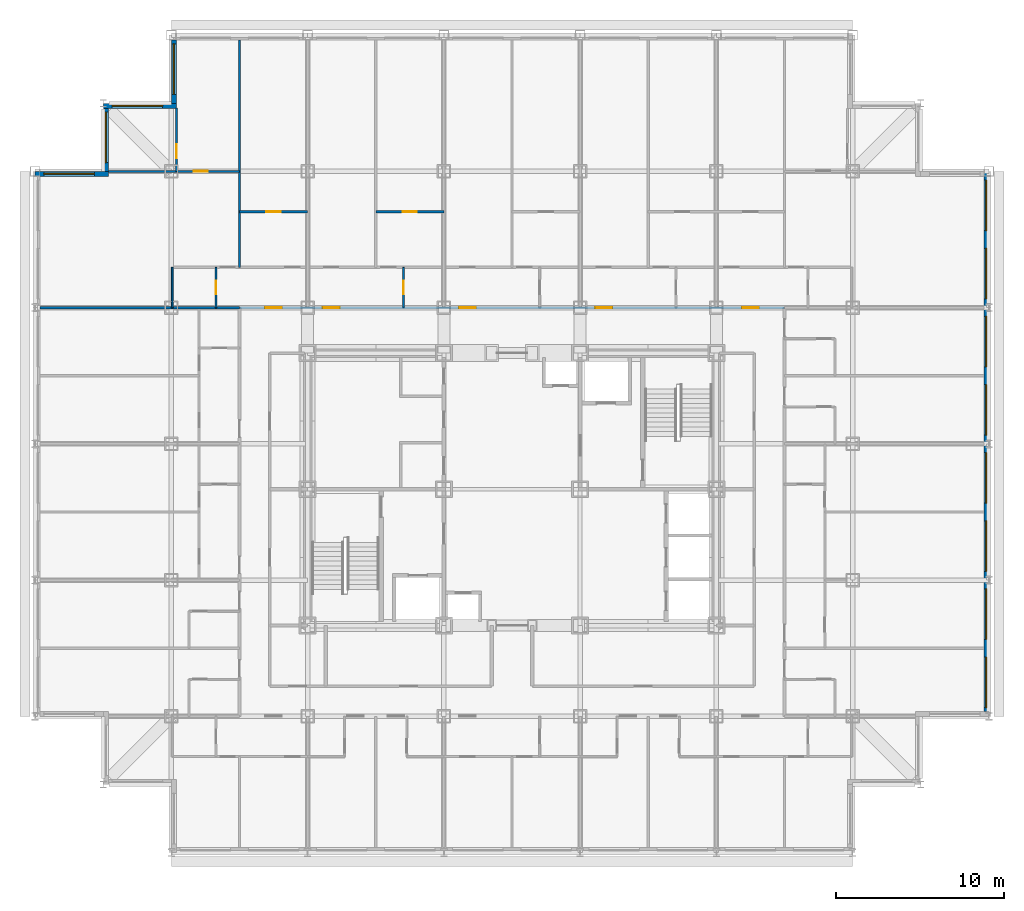
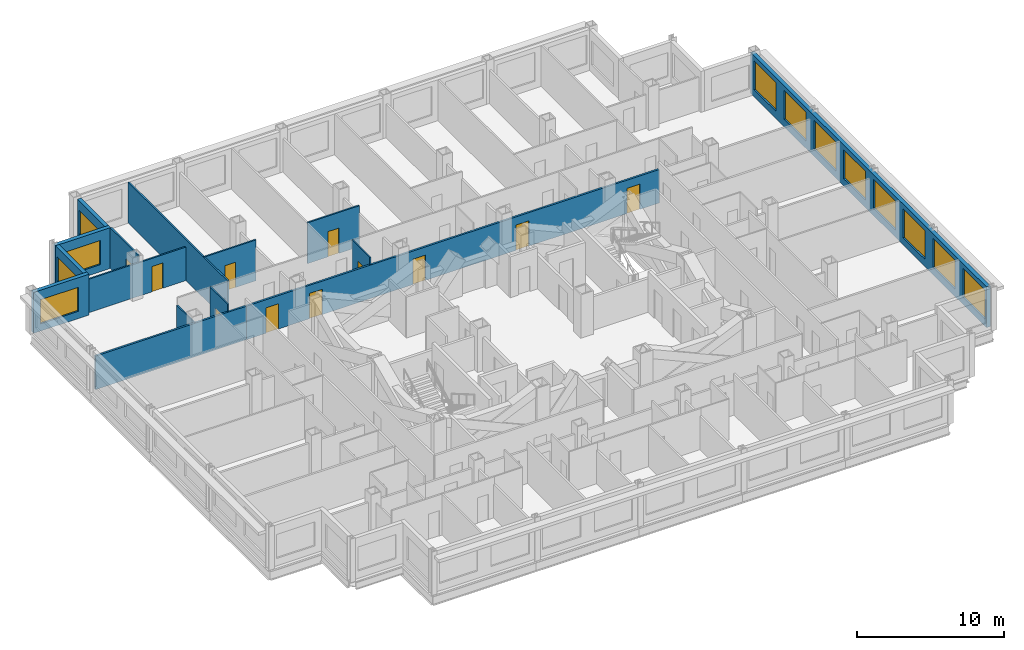
# One storey, part 9 of 12: 15 walls, 12 windows, 11 doors, 23 openings.
"""IFC4 building model written with IfcOpenShell, lengths in metres."""

from ifc_helpers import new_model, si_unit, direction, frame, frame_2d, origin, place, context, subcontext, project, spatial, rectangle, extrude, material, layer, layer_set, type_object, element, fill, save


model = new_model("IFC4")

# Units and contexts
model_context = context("Model", 3, precision=1e-05, world=origin(), true_north=direction((0.0, 1.0)))
body_context = subcontext(model_context, "Body", "Model", "MODEL_VIEW")
ifc_project = project(units=[si_unit("LENGTHUNIT", "METRE"), si_unit("AREAUNIT", "SQUARE_METRE"), si_unit("VOLUMEUNIT", "CUBIC_METRE"), si_unit("PLANEANGLEUNIT", "RADIAN"), si_unit("MASSUNIT", "GRAM", prefix="KILO")], contexts=[model_context])

# Site, building, storey
site_placement = place(None, origin())
site = spatial("IfcSite", under=ifc_project, at=site_placement, CompositionType="ELEMENT")
building_placement = place(site_placement, origin())
building = spatial("IfcBuilding", under=site, at=building_placement, Name="Kopane Lantern Tower", CompositionType="ELEMENT")
storey_placement = place(building_placement, frame((0.0, 0.0, 170.39990234375)))
storey = spatial("IfcBuildingStorey", under=building, at=storey_placement, Name="L43", CompositionType="ELEMENT", Elevation=170.39990234375)

# Wall
ifc_material_1 = material(Name="Gypsum board on steel studs", Category="steel")
ifc_layer_1 = layer(ifc_material_1, 0.1201171875)
ifc_layer_set_1 = layer_set([ifc_layer_1], Name="APARTMENT INTERNAL WALL 120")
wall_type_1 = type_object("IfcWallType", Name="APARTMENT INTERNAL WALL 120", PredefinedType="PARTITIONING", material=ifc_layer_set_1)
wall_1_placement = place(storey_placement, frame((12.14990234375, 45.60009765625, 0.0), z_axis=(0.0, 0.0, 1.0), x_axis=(0.0, 1.0, 0.0)))
element("IfcWall", 1, at=wall_1_placement, inside=storey, type_object=wall_type_1, Name="Apartment Internal Wall 120 L43", PredefinedType="PARTITIONING", context=body_context, shape_type="SweptSolid", body=[
    extrude(rectangle(XDim=13.5, YDim=0.1201171875, at=frame_2d((6.75, 0.0))), origin(), (0.0, 0.0, 1.0), 3.39013671875),
])

# Wall, opening, door
wall_2_placement = place(storey_placement, frame((12.14990234375, 51.300048828125, 0.0), z_axis=(0.0, 0.0, 1.0), x_axis=(-1.0, 0.0, 0.0)))
wall_2 = element("IfcWall", 2, at=wall_2_placement, inside=storey, type_object=wall_type_1, Name="Apartment Internal Wall 120 L43", PredefinedType="PARTITIONING", context=body_context, shape_type="SweptSolid", body=[
    extrude(rectangle(XDim=7.7998046875, YDim=0.1201171875, at=frame_2d((3.89990234375, 0.0))), origin(), (0.0, 0.0, 1.0), 2.77783203125),
])
opening_1_placement = place(wall_2_placement, frame((1.875, 0.0, 0.0)))
opening_1 = element("IfcOpeningElement", 3, at=opening_1_placement, cuts=wall_2, Name="Opening L43-071", PredefinedType="OPENING", context=body_context, shape_type="SweptSolid", body=[
    extrude(rectangle(XDim=0.85009765625, YDim=2.10009765625, at=frame_2d((0.425048828125, 1.050048828125))), frame((0.0, 0.070068359375, 0.0), z_axis=(0.0, -1.0, 0.0), x_axis=(1.0, 0.0, 0.0)), (0.0, 0.0, 1.0), 0.14013671875),
])
ifc_material_2 = material(Name="Timber door set", Category="wood")
door_type_1 = type_object("IfcDoorType", Name="DOOR D4 850x2100", OperationType="SINGLE_SWING_LEFT", PredefinedType="DOOR", material=ifc_material_2)
door_1_placement = place(opening_1_placement, origin())
door_1 = element("IfcDoor", 4, at=door_1_placement, inside=storey, type_object=door_type_1, Name="Door L43-071", OperationType="SINGLE_SWING_LEFT", OverallHeight=2.10009765625, OverallWidth=0.85009765625, PredefinedType="DOOR", context=body_context, shape_type="SweptSolid", body=[
    extrude(rectangle(XDim=0.85009765625, YDim=2.10009765625, at=frame_2d((0.425048828125, 1.050048828125))), frame((0.0, 0.02490234375, 0.0), z_axis=(0.0, -1.0, 0.0), x_axis=(1.0, 0.0, 0.0)), (0.0, 0.0, 1.0), 0.050048828125),
])
fill(opening_1, door_1)

wall_3_placement = place(storey_placement, frame((8.39990234375, 55.06005859375, 0.0), z_axis=(0.0, 0.0, 1.0), x_axis=(0.0, -1.0, 0.0)))
wall_3 = element("IfcWall", 5, at=wall_3_placement, inside=storey, type_object=wall_type_1, Name="Apartment Internal Wall 120 L43", PredefinedType="PARTITIONING", context=body_context, shape_type="SweptSolid", body=[
    extrude(rectangle(XDim=3.760009765625, YDim=0.1201171875, at=frame_2d((1.8798828125, 0.0))), origin(), (0.0, 0.0, 1.0), 3.39013671875),
])
opening_2_placement = place(wall_3_placement, frame((2.135009765625, 0.0, 0.0)))
opening_2 = element("IfcOpeningElement", 6, at=opening_2_placement, cuts=wall_3, Name="Opening L43-073", PredefinedType="OPENING", context=body_context, shape_type="SweptSolid", body=[
    extrude(rectangle(XDim=0.85009765625, YDim=2.10009765625, at=frame_2d((0.425048828125, 1.050048828125))), frame((0.0, 0.070068359375, 0.0), z_axis=(0.0, -1.0, 0.0), x_axis=(1.0, 0.0, 0.0)), (0.0, 0.0, 1.0), 0.14013671875),
])
door_2_placement = place(opening_2_placement, origin())
door_2 = element("IfcDoor", 7, at=door_2_placement, inside=storey, type_object=door_type_1, Name="Door L43-073", OperationType="SINGLE_SWING_RIGHT", OverallHeight=2.10009765625, OverallWidth=0.85009765625, PredefinedType="DOOR", context=body_context, shape_type="SweptSolid", body=[
    extrude(rectangle(XDim=0.85009765625, YDim=2.10009765625, at=frame_2d((0.425048828125, 1.050048828125))), frame((0.0, 0.02490234375, 0.0), z_axis=(0.0, -1.0, 0.0), x_axis=(1.0, 0.0, 0.0)), (0.0, 0.0, 1.0), 0.050048828125),
])
fill(opening_2, door_2)

wall_4_placement = place(storey_placement, frame((20.25, 48.89990234375, 0.0), z_axis=(0.0, 0.0, 1.0), x_axis=(1.0, 0.0, 0.0)))
wall_4 = element("IfcWall", 8, at=wall_4_placement, inside=storey, type_object=wall_type_1, Name="Apartment Internal Wall 120 L43", PredefinedType="PARTITIONING", context=body_context, shape_type="SweptSolid", body=[
    extrude(rectangle(XDim=4.050048828125, YDim=0.1201171875, at=frame_2d((2.02490234375, 0.0))), origin(), (0.0, 0.0, 1.0), 3.39013671875),
])
opening_3_placement = place(wall_4_placement, frame((1.60009765625, 0.0, 0.0)))
opening_3 = element("IfcOpeningElement", 9, at=opening_3_placement, cuts=wall_4, Name="Opening L43-074", PredefinedType="OPENING", context=body_context, shape_type="SweptSolid", body=[
    extrude(rectangle(XDim=0.85009765625, YDim=2.10009765625, at=frame_2d((0.425048828125, 1.050048828125))), frame((0.0, 0.070068359375, 0.0), z_axis=(0.0, -1.0, 0.0), x_axis=(1.0, 0.0, 0.0)), (0.0, 0.0, 1.0), 0.14013671875),
])
door_3_placement = place(opening_3_placement, origin())
door_3 = element("IfcDoor", 10, at=door_3_placement, inside=storey, type_object=door_type_1, Name="Door L43-074", OperationType="SINGLE_SWING_RIGHT", OverallHeight=2.10009765625, OverallWidth=0.85009765625, PredefinedType="DOOR", context=body_context, shape_type="SweptSolid", body=[
    extrude(rectangle(XDim=0.85009765625, YDim=2.10009765625, at=frame_2d((0.425048828125, 1.050048828125))), frame((0.0, 0.02490234375, 0.0), z_axis=(0.0, -1.0, 0.0), x_axis=(1.0, 0.0, 0.0)), (0.0, 0.0, 1.0), 0.050048828125),
])
fill(opening_3, door_3)

wall_5_placement = place(storey_placement, frame((12.14990234375, 48.89990234375, 0.0), z_axis=(0.0, 0.0, 1.0), x_axis=(1.0, 0.0, 0.0)))
wall_5 = element("IfcWall", 11, at=wall_5_placement, inside=storey, type_object=wall_type_1, Name="Apartment Internal Wall 120 L43", PredefinedType="PARTITIONING", context=body_context, shape_type="SweptSolid", body=[
    extrude(rectangle(XDim=4.050048828125, YDim=0.1201171875, at=frame_2d((2.02490234375, 0.0))), origin(), (0.0, 0.0, 1.0), 3.39013671875),
])
opening_4_placement = place(wall_5_placement, frame((1.60009765625, 0.0, 0.0)))
opening_4 = element("IfcOpeningElement", 12, at=opening_4_placement, cuts=wall_5, Name="Opening L43-078", PredefinedType="OPENING", context=body_context, shape_type="SweptSolid", body=[
    extrude(rectangle(XDim=0.85009765625, YDim=2.10009765625, at=frame_2d((0.425048828125, 1.050048828125))), frame((0.0, 0.070068359375, 0.0), z_axis=(0.0, -1.0, 0.0), x_axis=(1.0, 0.0, 0.0)), (0.0, 0.0, 1.0), 0.14013671875),
])
door_4_placement = place(opening_4_placement, origin())
door_4 = element("IfcDoor", 13, at=door_4_placement, inside=storey, type_object=door_type_1, Name="Door L43-078", OperationType="SINGLE_SWING_RIGHT", OverallHeight=2.10009765625, OverallWidth=0.85009765625, PredefinedType="DOOR", context=body_context, shape_type="SweptSolid", body=[
    extrude(rectangle(XDim=0.85009765625, YDim=2.10009765625, at=frame_2d((0.425048828125, 1.050048828125))), frame((0.0, 0.02490234375, 0.0), z_axis=(0.0, -1.0, 0.0), x_axis=(1.0, 0.0, 0.0)), (0.0, 0.0, 1.0), 0.050048828125),
])
fill(opening_4, door_4)

ifc_material_3 = material(Name="Moisture-resistant board on steel studs", Category="steel")
ifc_layer_2 = layer(ifc_material_3, 0.10009765625)
ifc_layer_set_2 = layer_set([ifc_layer_2], Name="BATHROOM WALL 100")
wall_type_2 = type_object("IfcWallType", Name="BATHROOM WALL 100", PredefinedType="PARTITIONING", material=ifc_layer_set_2)
wall_6_placement = place(storey_placement, frame((21.89990234375, 43.199951171875, 0.0), z_axis=(0.0, 0.0, 1.0), x_axis=(0.0, 1.0, 0.0)))
wall_6 = element("IfcWall", 14, at=wall_6_placement, inside=storey, type_object=wall_type_2, Name="Bathroom Wall 100 L43", PredefinedType="PARTITIONING", context=body_context, shape_type="SweptSolid", body=[
    extrude(rectangle(XDim=2.400146484375, YDim=0.10009765625, at=frame_2d((1.2001953125, 0.0))), origin(), (0.0, 0.0, 1.0), 3.39013671875),
])
opening_5_placement = place(wall_6_placement, frame((0.800048828125, 0.0, 0.0)))
opening_5 = element("IfcOpeningElement", 15, at=opening_5_placement, cuts=wall_6, Name="Opening L43-020", PredefinedType="OPENING", context=body_context, shape_type="SweptSolid", body=[
    extrude(rectangle(XDim=0.800048828125, YDim=2.10009765625, at=frame_2d((0.39990234375, 1.050048828125))), frame((0.0, 0.06005859375, 0.0), z_axis=(0.0, -1.0, 0.0), x_axis=(1.0, 0.0, 0.0)), (0.0, 0.0, 1.0), 0.1201171875),
])
ifc_material_4 = material(Name="Timber door set", Category="wood")
door_type_2 = type_object("IfcDoorType", Name="DOOR D2 800x2100", OperationType="SINGLE_SWING_LEFT", PredefinedType="DOOR", material=ifc_material_4)
door_5_placement = place(opening_5_placement, origin())
door_5 = element("IfcDoor", 16, at=door_5_placement, inside=storey, type_object=door_type_2, Name="Door L43-020", OperationType="SINGLE_SWING_RIGHT", OverallHeight=2.10009765625, OverallWidth=0.800048828125, PredefinedType="DOOR", context=body_context, shape_type="SweptSolid", body=[
    extrude(rectangle(XDim=0.800048828125, YDim=2.10009765625, at=frame_2d((0.39990234375, 1.050048828125))), frame((0.0, 0.02490234375, 0.0), z_axis=(0.0, -1.0, 0.0), x_axis=(1.0, 0.0, 0.0)), (0.0, 0.0, 1.0), 0.050048828125),
])
fill(opening_5, door_5)

wall_7_placement = place(storey_placement, frame((10.75, 43.199951171875, 0.0), z_axis=(0.0, 0.0, 1.0), x_axis=(0.0, 1.0, 0.0)))
wall_7 = element("IfcWall", 17, at=wall_7_placement, inside=storey, type_object=wall_type_2, Name="Bathroom Wall 100 L43", PredefinedType="PARTITIONING", context=body_context, shape_type="SweptSolid", body=[
    extrude(rectangle(XDim=2.400146484375, YDim=0.10009765625, at=frame_2d((1.2001953125, 0.0))), origin(), (0.0, 0.0, 1.0), 3.39013671875),
])
opening_6_placement = place(wall_7_placement, frame((0.800048828125, 0.0, 0.0)))
opening_6 = element("IfcOpeningElement", 18, at=opening_6_placement, cuts=wall_7, Name="Opening L43-069", PredefinedType="OPENING", context=body_context, shape_type="SweptSolid", body=[
    extrude(rectangle(XDim=0.800048828125, YDim=2.10009765625, at=frame_2d((0.39990234375, 1.050048828125))), frame((0.0, 0.06005859375, 0.0), z_axis=(0.0, -1.0, 0.0), x_axis=(1.0, 0.0, 0.0)), (0.0, 0.0, 1.0), 0.1201171875),
])
door_6_placement = place(opening_6_placement, origin())
door_6 = element("IfcDoor", 19, at=door_6_placement, inside=storey, type_object=door_type_2, Name="Door L43-069", OperationType="SINGLE_SWING_LEFT", OverallHeight=2.10009765625, OverallWidth=0.800048828125, PredefinedType="DOOR", context=body_context, shape_type="SweptSolid", body=[
    extrude(rectangle(XDim=0.800048828125, YDim=2.10009765625, at=frame_2d((0.39990234375, 1.050048828125))), frame((0.0, 0.02490234375, 0.0), z_axis=(0.0, -1.0, 0.0), x_axis=(1.0, 0.0, 0.0)), (0.0, 0.0, 1.0), 0.050048828125),
])
fill(opening_6, door_6)

# Wall
wall_8_placement = place(storey_placement, frame((8.14990234375, 43.199951171875, 0.0), z_axis=(0.0, 0.0, 1.0), x_axis=(0.0, 1.0, 0.0)))
element("IfcWall", 20, at=wall_8_placement, inside=storey, type_object=wall_type_2, Name="Bathroom Wall 100 L43", PredefinedType="PARTITIONING", context=body_context, shape_type="SweptSolid", body=[
    extrude(rectangle(XDim=2.400146484375, YDim=0.10009765625, at=frame_2d((1.2001953125, 0.0))), origin(), (0.0, 0.0, 1.0), 2.77783203125),
])

# Wall, openings, doors
ifc_material_5 = material(Name="Gypsum board on steel studs", Category="steel")
ifc_layer_3 = layer(ifc_material_5, 0.14990234375)
ifc_layer_set_3 = layer_set([ifc_layer_3], Name="CORRIDOR WALL 150 EI 60")
wall_type_3 = type_object("IfcWallType", Name="CORRIDOR WALL 150 EI 60", PredefinedType="PARTITIONING", material=ifc_layer_set_3)
wall_9_placement = place(storey_placement, frame((12.14990234375, 43.199951171875, 0.0), z_axis=(0.0, 0.0, 1.0), x_axis=(1.0, 0.0, 0.0)))
wall_9 = element("IfcWall", 21, at=wall_9_placement, inside=storey, type_object=wall_type_3, Name="Corridor Wall 150 Ei 60 L43", PredefinedType="PARTITIONING", context=body_context, shape_type="SweptSolid", body=[
    extrude(rectangle(XDim=32.400146484375, YDim=0.14990234375, at=frame_2d((16.2001953125, 0.0))), origin(), (0.0, 0.0, 1.0), 2.77783203125),
])
opening_7_placement = place(wall_9_placement, frame((4.949951171875, 0.0, 0.0)))
opening_7 = element("IfcOpeningElement", 22, at=opening_7_placement, cuts=wall_9, Name="Opening L43-021", PredefinedType="OPENING", context=body_context, shape_type="SweptSolid", body=[
    extrude(rectangle(XDim=1.0, YDim=2.10009765625, at=frame_2d((0.5, 1.050048828125))), frame((0.0, 0.0849609375, 0.0), z_axis=(0.0, -1.0, 0.0), x_axis=(1.0, 0.0, 0.0)), (0.0, 0.0, 1.0), 0.169921875),
])
opening_8_placement = place(wall_9_placement, frame((13.050048828125, 0.0, 0.0)))
opening_8 = element("IfcOpeningElement", 23, at=opening_8_placement, cuts=wall_9, Name="Opening L43-025", PredefinedType="OPENING", context=body_context, shape_type="SweptSolid", body=[
    extrude(rectangle(XDim=1.0, YDim=2.10009765625, at=frame_2d((0.5, 1.050048828125))), frame((0.0, 0.0849609375, 0.0), z_axis=(0.0, -1.0, 0.0), x_axis=(1.0, 0.0, 0.0)), (0.0, 0.0, 1.0), 0.169921875),
])
opening_9_placement = place(wall_9_placement, frame((21.14990234375, 0.0, 0.0)))
opening_9 = element("IfcOpeningElement", 24, at=opening_9_placement, cuts=wall_9, Name="Opening L43-029", PredefinedType="OPENING", context=body_context, shape_type="SweptSolid", body=[
    extrude(rectangle(XDim=1.0, YDim=2.10009765625, at=frame_2d((0.5, 1.050048828125))), frame((0.0, 0.0849609375, 0.0), z_axis=(0.0, -1.0, 0.0), x_axis=(1.0, 0.0, 0.0)), (0.0, 0.0, 1.0), 0.169921875),
])
opening_10_placement = place(wall_9_placement, frame((29.875, 0.0, 0.0)))
opening_10 = element("IfcOpeningElement", 25, at=opening_10_placement, cuts=wall_9, Name="Opening L43-062", PredefinedType="OPENING", context=body_context, shape_type="SweptSolid", body=[
    extrude(rectangle(XDim=1.0, YDim=2.10009765625, at=frame_2d((0.5, 1.050048828125))), frame((0.0, 0.0849609375, 0.0), z_axis=(0.0, -1.0, 0.0), x_axis=(1.0, 0.0, 0.0)), (0.0, 0.0, 1.0), 0.169921875),
])
opening_11_placement = place(wall_9_placement, frame((1.52490234375, 0.0, 0.0)))
opening_11 = element("IfcOpeningElement", 26, at=opening_11_placement, cuts=wall_9, Name="Opening L43-067", PredefinedType="OPENING", context=body_context, shape_type="SweptSolid", body=[
    extrude(rectangle(XDim=1.0, YDim=2.10009765625, at=frame_2d((0.5, 1.050048828125))), frame((0.0, 0.0849609375, 0.0), z_axis=(0.0, -1.0, 0.0), x_axis=(1.0, 0.0, 0.0)), (0.0, 0.0, 1.0), 0.169921875),
])
ifc_material_6 = material(Name="Steel door set", Category="steel")
door_type_3 = type_object("IfcDoorType", Name="DOOR D3 1000x2100 FD30S", OperationType="SINGLE_SWING_LEFT", PredefinedType="DOOR", material=ifc_material_6)
door_7_placement = place(opening_7_placement, origin())
door_7 = element("IfcDoor", 27, at=door_7_placement, inside=storey, type_object=door_type_3, Name="Door L43-021", OperationType="SINGLE_SWING_LEFT", OverallHeight=2.10009765625, OverallWidth=1.0, PredefinedType="DOOR", context=body_context, shape_type="SweptSolid", body=[
    extrude(rectangle(XDim=1.0, YDim=2.10009765625, at=frame_2d((0.5, 1.050048828125))), frame((0.0, 0.02490234375, 0.0), z_axis=(0.0, -1.0, 0.0), x_axis=(1.0, 0.0, 0.0)), (0.0, 0.0, 1.0), 0.050048828125),
])
fill(opening_7, door_7)
door_8_placement = place(opening_8_placement, origin())
door_8 = element("IfcDoor", 28, at=door_8_placement, inside=storey, type_object=door_type_3, Name="Door L43-025", OperationType="SINGLE_SWING_LEFT", OverallHeight=2.10009765625, OverallWidth=1.0, PredefinedType="DOOR", context=body_context, shape_type="SweptSolid", body=[
    extrude(rectangle(XDim=1.0, YDim=2.10009765625, at=frame_2d((0.5, 1.050048828125))), frame((0.0, 0.02490234375, 0.0), z_axis=(0.0, -1.0, 0.0), x_axis=(1.0, 0.0, 0.0)), (0.0, 0.0, 1.0), 0.050048828125),
])
fill(opening_8, door_8)
door_9_placement = place(opening_9_placement, origin())
door_9 = element("IfcDoor", 29, at=door_9_placement, inside=storey, type_object=door_type_3, Name="Door L43-029", OperationType="SINGLE_SWING_LEFT", OverallHeight=2.10009765625, OverallWidth=1.0, PredefinedType="DOOR", context=body_context, shape_type="SweptSolid", body=[
    extrude(rectangle(XDim=1.0, YDim=2.10009765625, at=frame_2d((0.5, 1.050048828125))), frame((0.0, 0.02490234375, 0.0), z_axis=(0.0, -1.0, 0.0), x_axis=(1.0, 0.0, 0.0)), (0.0, 0.0, 1.0), 0.050048828125),
])
fill(opening_9, door_9)
door_10_placement = place(opening_10_placement, origin())
door_10 = element("IfcDoor", 30, at=door_10_placement, inside=storey, type_object=door_type_3, Name="Door L43-062", OperationType="SINGLE_SWING_LEFT", OverallHeight=2.10009765625, OverallWidth=1.0, PredefinedType="DOOR", context=body_context, shape_type="SweptSolid", body=[
    extrude(rectangle(XDim=1.0, YDim=2.10009765625, at=frame_2d((0.5, 1.050048828125))), frame((0.0, 0.02490234375, 0.0), z_axis=(0.0, -1.0, 0.0), x_axis=(1.0, 0.0, 0.0)), (0.0, 0.0, 1.0), 0.050048828125),
])
fill(opening_10, door_10)
door_11_placement = place(opening_11_placement, origin())
door_11 = element("IfcDoor", 31, at=door_11_placement, inside=storey, type_object=door_type_3, Name="Door L43-067", OperationType="SINGLE_SWING_RIGHT", OverallHeight=2.10009765625, OverallWidth=1.0, PredefinedType="DOOR", context=body_context, shape_type="SweptSolid", body=[
    extrude(rectangle(XDim=1.0, YDim=2.10009765625, at=frame_2d((0.5, 1.050048828125))), frame((0.0, 0.02490234375, 0.0), z_axis=(0.0, -1.0, 0.0), x_axis=(1.0, 0.0, 0.0)), (0.0, 0.0, 1.0), 0.050048828125),
])
fill(opening_11, door_11)

# Wall
ifc_material_7 = material(Name="Gypsum board on steel studs", Category="steel")
ifc_layer_4 = layer(ifc_material_7, 0.14990234375)
ifc_layer_set_4 = layer_set([ifc_layer_4], Name="DEMISING WALL 150 EI 60")
wall_type_4 = type_object("IfcWallType", Name="DEMISING WALL 150 EI 60", PredefinedType="PARTITIONING", material=ifc_layer_set_4)
wall_10_placement = place(storey_placement, frame((0.300048828125, 43.199951171875, 0.0), z_axis=(0.0, 0.0, 1.0), x_axis=(1.0, 0.0, 0.0)))
element("IfcWall", 32, at=wall_10_placement, inside=storey, type_object=wall_type_4, Name="Demising Wall 150 Ei 60 L43", PredefinedType="PARTITIONING", context=body_context, shape_type="SweptSolid", body=[
    extrude(rectangle(XDim=11.849853515625, YDim=0.14990234375, at=frame_2d((5.9248046875, 0.0))), origin(), (0.0, 0.0, 1.0), 2.77783203125),
])

# Wall, openings, windows
ifc_material_8 = material(Name="Terracotta rainscreen on light steel framing", Category="masonry")
ifc_layer_5 = layer(ifc_material_8, 0.300048828125)
ifc_layer_set_5 = layer_set([ifc_layer_5], Name="EXTERNAL WALL EW1 300 TERRACOTTA")
wall_type_5 = type_object("IfcWallType", Name="EXTERNAL WALL EW1 300 TERRACOTTA", PredefinedType="SOLIDWALL", material=ifc_layer_set_5)
wall_11_placement = place(storey_placement, frame((56.550048828125, 19.199951171875, 0.0), z_axis=(0.0, 0.0, 1.0), x_axis=(0.0, 1.0, 0.0)))
wall_11 = element("IfcWall", 33, at=wall_11_placement, inside=storey, type_object=wall_type_5, Name="External wall E L43", PredefinedType="SOLIDWALL", context=body_context, shape_type="SweptSolid", body=[
    extrude(rectangle(XDim=32.10009765625, YDim=0.300048828125, at=frame_2d((16.050048828125, 0.0))), origin(), (0.0, 0.0, 1.0), 3.39013671875),
])
opening_12_placement = place(wall_11_placement, frame((0.22509765625, 0.0, 0.60009765625)))
opening_12 = element("IfcOpeningElement", 34, at=opening_12_placement, cuts=wall_11, Name="Opening WR300240", PredefinedType="OPENING", context=body_context, shape_type="SweptSolid", body=[
    extrude(rectangle(XDim=3.0, YDim=2.39990234375, at=frame_2d((1.5, 1.199951171875))), frame((0.0, 0.159912109375, 0.0), z_axis=(0.0, -1.0, 0.0), x_axis=(1.0, 0.0, 0.0)), (0.0, 0.0, 1.0), 0.320068359375),
])
opening_13_placement = place(wall_11_placement, frame((4.27490234375, 0.0, 0.60009765625)))
opening_13 = element("IfcOpeningElement", 35, at=opening_13_placement, cuts=wall_11, Name="Opening WR300240", PredefinedType="OPENING", context=body_context, shape_type="SweptSolid", body=[
    extrude(rectangle(XDim=3.0, YDim=2.39990234375, at=frame_2d((1.5, 1.199951171875))), frame((0.0, 0.159912109375, 0.0), z_axis=(0.0, -1.0, 0.0), x_axis=(1.0, 0.0, 0.0)), (0.0, 0.0, 1.0), 0.320068359375),
])
opening_14_placement = place(wall_11_placement, frame((8.324951171875, 0.0, 0.60009765625)))
opening_14 = element("IfcOpeningElement", 36, at=opening_14_placement, cuts=wall_11, Name="Opening WR300240", PredefinedType="OPENING", context=body_context, shape_type="SweptSolid", body=[
    extrude(rectangle(XDim=3.0, YDim=2.39990234375, at=frame_2d((1.5, 1.199951171875))), frame((0.0, 0.159912109375, 0.0), z_axis=(0.0, -1.0, 0.0), x_axis=(1.0, 0.0, 0.0)), (0.0, 0.0, 1.0), 0.320068359375),
])
opening_15_placement = place(wall_11_placement, frame((12.375, 0.0, 0.60009765625)))
opening_15 = element("IfcOpeningElement", 37, at=opening_15_placement, cuts=wall_11, Name="Opening WR300240", PredefinedType="OPENING", context=body_context, shape_type="SweptSolid", body=[
    extrude(rectangle(XDim=3.0, YDim=2.39990234375, at=frame_2d((1.5, 1.199951171875))), frame((0.0, 0.159912109375, 0.0), z_axis=(0.0, -1.0, 0.0), x_axis=(1.0, 0.0, 0.0)), (0.0, 0.0, 1.0), 0.320068359375),
])
opening_16_placement = place(wall_11_placement, frame((16.425048828125, 0.0, 0.60009765625)))
opening_16 = element("IfcOpeningElement", 38, at=opening_16_placement, cuts=wall_11, Name="Opening WR300240", PredefinedType="OPENING", context=body_context, shape_type="SweptSolid", body=[
    extrude(rectangle(XDim=3.0, YDim=2.39990234375, at=frame_2d((1.5, 1.199951171875))), frame((0.0, 0.159912109375, 0.0), z_axis=(0.0, -1.0, 0.0), x_axis=(1.0, 0.0, 0.0)), (0.0, 0.0, 1.0), 0.320068359375),
])
opening_17_placement = place(wall_11_placement, frame((20.47509765625, 0.0, 0.60009765625)))
opening_17 = element("IfcOpeningElement", 39, at=opening_17_placement, cuts=wall_11, Name="Opening WR300240", PredefinedType="OPENING", context=body_context, shape_type="SweptSolid", body=[
    extrude(rectangle(XDim=3.0, YDim=2.39990234375, at=frame_2d((1.5, 1.199951171875))), frame((0.0, 0.159912109375, 0.0), z_axis=(0.0, -1.0, 0.0), x_axis=(1.0, 0.0, 0.0)), (0.0, 0.0, 1.0), 0.320068359375),
])
opening_18_placement = place(wall_11_placement, frame((24.52490234375, 0.0, 0.60009765625)))
opening_18 = element("IfcOpeningElement", 40, at=opening_18_placement, cuts=wall_11, Name="Opening WR300240", PredefinedType="OPENING", context=body_context, shape_type="SweptSolid", body=[
    extrude(rectangle(XDim=3.0, YDim=2.39990234375, at=frame_2d((1.5, 1.199951171875))), frame((0.0, 0.159912109375, 0.0), z_axis=(0.0, -1.0, 0.0), x_axis=(1.0, 0.0, 0.0)), (0.0, 0.0, 1.0), 0.320068359375),
])
opening_19_placement = place(wall_11_placement, frame((28.574951171875, 0.0, 0.60009765625)))
opening_19 = element("IfcOpeningElement", 41, at=opening_19_placement, cuts=wall_11, Name="Opening WR300240", PredefinedType="OPENING", context=body_context, shape_type="SweptSolid", body=[
    extrude(rectangle(XDim=3.0, YDim=2.39990234375, at=frame_2d((1.5, 1.199951171875))), frame((0.0, 0.159912109375, 0.0), z_axis=(0.0, -1.0, 0.0), x_axis=(1.0, 0.0, 0.0)), (0.0, 0.0, 1.0), 0.320068359375),
])
ifc_material_9 = material(Name="Aluminium and clear glass", Category="aluminium")
window_type_1 = type_object("IfcWindowType", Name="RIBBON WINDOW WR300240 3000x2400", PartitioningType="SINGLE_PANEL", PredefinedType="WINDOW", material=ifc_material_9)
window_1_placement = place(opening_12_placement, origin())
window_1 = element("IfcWindow", 42, at=window_1_placement, inside=storey, type_object=window_type_1, Name="Window E L43", OverallHeight=2.39990234375, OverallWidth=3.0, PartitioningType="SINGLE_PANEL", PredefinedType="WINDOW", context=body_context, shape_type="SweptSolid", body=[
    extrude(rectangle(XDim=3.0, YDim=2.39990234375, at=frame_2d((1.5, 1.199951171875))), frame((0.0, 0.030029296875, 0.0), z_axis=(0.0, -1.0, 0.0), x_axis=(1.0, 0.0, 0.0)), (0.0, 0.0, 1.0), 0.06005859375),
])
fill(opening_12, window_1)
window_2_placement = place(opening_13_placement, origin())
window_2 = element("IfcWindow", 43, at=window_2_placement, inside=storey, type_object=window_type_1, Name="Window E L43", OverallHeight=2.39990234375, OverallWidth=3.0, PartitioningType="SINGLE_PANEL", PredefinedType="WINDOW", context=body_context, shape_type="SweptSolid", body=[
    extrude(rectangle(XDim=3.0, YDim=2.39990234375, at=frame_2d((1.5, 1.199951171875))), frame((0.0, 0.030029296875, 0.0), z_axis=(0.0, -1.0, 0.0), x_axis=(1.0, 0.0, 0.0)), (0.0, 0.0, 1.0), 0.06005859375),
])
fill(opening_13, window_2)
window_3_placement = place(opening_14_placement, origin())
window_3 = element("IfcWindow", 44, at=window_3_placement, inside=storey, type_object=window_type_1, Name="Window E L43", OverallHeight=2.39990234375, OverallWidth=3.0, PartitioningType="SINGLE_PANEL", PredefinedType="WINDOW", context=body_context, shape_type="SweptSolid", body=[
    extrude(rectangle(XDim=3.0, YDim=2.39990234375, at=frame_2d((1.5, 1.199951171875))), frame((0.0, 0.030029296875, 0.0), z_axis=(0.0, -1.0, 0.0), x_axis=(1.0, 0.0, 0.0)), (0.0, 0.0, 1.0), 0.06005859375),
])
fill(opening_14, window_3)
window_4_placement = place(opening_15_placement, origin())
window_4 = element("IfcWindow", 45, at=window_4_placement, inside=storey, type_object=window_type_1, Name="Window E L43", OverallHeight=2.39990234375, OverallWidth=3.0, PartitioningType="SINGLE_PANEL", PredefinedType="WINDOW", context=body_context, shape_type="SweptSolid", body=[
    extrude(rectangle(XDim=3.0, YDim=2.39990234375, at=frame_2d((1.5, 1.199951171875))), frame((0.0, 0.030029296875, 0.0), z_axis=(0.0, -1.0, 0.0), x_axis=(1.0, 0.0, 0.0)), (0.0, 0.0, 1.0), 0.06005859375),
])
fill(opening_15, window_4)
window_5_placement = place(opening_16_placement, origin())
window_5 = element("IfcWindow", 46, at=window_5_placement, inside=storey, type_object=window_type_1, Name="Window E L43", OverallHeight=2.39990234375, OverallWidth=3.0, PartitioningType="SINGLE_PANEL", PredefinedType="WINDOW", context=body_context, shape_type="SweptSolid", body=[
    extrude(rectangle(XDim=3.0, YDim=2.39990234375, at=frame_2d((1.5, 1.199951171875))), frame((0.0, 0.030029296875, 0.0), z_axis=(0.0, -1.0, 0.0), x_axis=(1.0, 0.0, 0.0)), (0.0, 0.0, 1.0), 0.06005859375),
])
fill(opening_16, window_5)
window_6_placement = place(opening_17_placement, origin())
window_6 = element("IfcWindow", 47, at=window_6_placement, inside=storey, type_object=window_type_1, Name="Window E L43", OverallHeight=2.39990234375, OverallWidth=3.0, PartitioningType="SINGLE_PANEL", PredefinedType="WINDOW", context=body_context, shape_type="SweptSolid", body=[
    extrude(rectangle(XDim=3.0, YDim=2.39990234375, at=frame_2d((1.5, 1.199951171875))), frame((0.0, 0.030029296875, 0.0), z_axis=(0.0, -1.0, 0.0), x_axis=(1.0, 0.0, 0.0)), (0.0, 0.0, 1.0), 0.06005859375),
])
fill(opening_17, window_6)
window_7_placement = place(opening_18_placement, origin())
window_7 = element("IfcWindow", 48, at=window_7_placement, inside=storey, type_object=window_type_1, Name="Window E L43", OverallHeight=2.39990234375, OverallWidth=3.0, PartitioningType="SINGLE_PANEL", PredefinedType="WINDOW", context=body_context, shape_type="SweptSolid", body=[
    extrude(rectangle(XDim=3.0, YDim=2.39990234375, at=frame_2d((1.5, 1.199951171875))), frame((0.0, 0.030029296875, 0.0), z_axis=(0.0, -1.0, 0.0), x_axis=(1.0, 0.0, 0.0)), (0.0, 0.0, 1.0), 0.06005859375),
])
fill(opening_18, window_7)
window_8_placement = place(opening_19_placement, origin())
window_8 = element("IfcWindow", 49, at=window_8_placement, inside=storey, type_object=window_type_1, Name="Window E L43", OverallHeight=2.39990234375, OverallWidth=3.0, PartitioningType="SINGLE_PANEL", PredefinedType="WINDOW", context=body_context, shape_type="SweptSolid", body=[
    extrude(rectangle(XDim=3.0, YDim=2.39990234375, at=frame_2d((1.5, 1.199951171875))), frame((0.0, 0.030029296875, 0.0), z_axis=(0.0, -1.0, 0.0), x_axis=(1.0, 0.0, 0.0)), (0.0, 0.0, 1.0), 0.06005859375),
])
fill(opening_19, window_8)

# Wall, opening, window
wall_12_placement = place(storey_placement, frame((8.25, 59.10009765625, 0.0), z_axis=(0.0, 0.0, 1.0), x_axis=(0.0, -1.0, 0.0)))
wall_12 = element("IfcWall", 50, at=wall_12_placement, inside=storey, type_object=wall_type_5, Name="External wall W L43", PredefinedType="SOLIDWALL", context=body_context, shape_type="SweptSolid", body=[
    extrude(rectangle(XDim=3.75, YDim=0.300048828125, at=frame_2d((1.875, 0.0))), origin(), (0.0, 0.0, 1.0), 3.39013671875),
])
opening_20_placement = place(wall_12_placement, frame((0.22509765625, 0.0, 0.60009765625)))
opening_20 = element("IfcOpeningElement", 51, at=opening_20_placement, cuts=wall_12, Name="Opening WR300200", PredefinedType="OPENING", context=body_context, shape_type="SweptSolid", body=[
    extrude(rectangle(XDim=3.0, YDim=2.0, at=frame_2d((1.5, 1.0))), frame((0.0, 0.159912109375, 0.0), z_axis=(0.0, -1.0, 0.0), x_axis=(1.0, 0.0, 0.0)), (0.0, 0.0, 1.0), 0.320068359375),
])
ifc_material_10 = material(Name="Aluminium and clear glass", Category="aluminium")
window_type_2 = type_object("IfcWindowType", Name="RIBBON WINDOW WR300200 3000x2000", PartitioningType="SINGLE_PANEL", PredefinedType="WINDOW", material=ifc_material_10)
window_9_placement = place(opening_20_placement, origin())
window_9 = element("IfcWindow", 52, at=window_9_placement, inside=storey, type_object=window_type_2, Name="Window W L43", OverallHeight=2.0, OverallWidth=3.0, PartitioningType="SINGLE_PANEL", PredefinedType="WINDOW", context=body_context, shape_type="SweptSolid", body=[
    extrude(rectangle(XDim=3.0, YDim=2.0, at=frame_2d((1.5, 1.0))), frame((0.0, 0.030029296875, 0.0), z_axis=(0.0, -1.0, 0.0), x_axis=(1.0, 0.0, 0.0)), (0.0, 0.0, 1.0), 0.06005859375),
])
fill(opening_20, window_9)

wall_13_placement = place(storey_placement, frame((8.39990234375, 55.199951171875, 0.0), z_axis=(0.0, 0.0, 1.0), x_axis=(-1.0, 0.0, 0.0)))
wall_13 = element("IfcWall", 53, at=wall_13_placement, inside=storey, type_object=wall_type_5, Name="External wall N L43", PredefinedType="SOLIDWALL", context=body_context, shape_type="SweptSolid", body=[
    extrude(rectangle(XDim=4.349853515625, YDim=0.300048828125, at=frame_2d((2.1748046875, 0.0))), origin(), (0.0, 0.0, 1.0), 3.39013671875),
])
opening_21_placement = place(wall_13_placement, frame((0.824951171875, 0.0, 0.60009765625)))
opening_21 = element("IfcOpeningElement", 54, at=opening_21_placement, cuts=wall_13, Name="Opening WR300200", PredefinedType="OPENING", context=body_context, shape_type="SweptSolid", body=[
    extrude(rectangle(XDim=3.0, YDim=2.0, at=frame_2d((1.5, 1.0))), frame((0.0, 0.159912109375, 0.0), z_axis=(0.0, -1.0, 0.0), x_axis=(1.0, 0.0, 0.0)), (0.0, 0.0, 1.0), 0.320068359375),
])
window_10_placement = place(opening_21_placement, origin())
window_10 = element("IfcWindow", 55, at=window_10_placement, inside=storey, type_object=window_type_2, Name="Window N L43", OverallHeight=2.0, OverallWidth=3.0, PartitioningType="SINGLE_PANEL", PredefinedType="WINDOW", context=body_context, shape_type="SweptSolid", body=[
    extrude(rectangle(XDim=3.0, YDim=2.0, at=frame_2d((1.5, 1.0))), frame((0.0, 0.030029296875, 0.0), z_axis=(0.0, -1.0, 0.0), x_axis=(1.0, 0.0, 0.0)), (0.0, 0.0, 1.0), 0.06005859375),
])
fill(opening_21, window_10)

wall_14_placement = place(storey_placement, frame((4.199951171875, 55.050048828125, 0.0), z_axis=(0.0, 0.0, 1.0), x_axis=(0.0, -1.0, 0.0)))
wall_14 = element("IfcWall", 56, at=wall_14_placement, inside=storey, type_object=wall_type_5, Name="External wall W L43", PredefinedType="SOLIDWALL", context=body_context, shape_type="SweptSolid", body=[
    extrude(rectangle(XDim=3.75, YDim=0.300048828125, at=frame_2d((1.875, 0.0))), origin(), (0.0, 0.0, 1.0), 3.39013671875),
])
opening_22_placement = place(wall_14_placement, frame((0.22509765625, 0.0, 0.60009765625)))
opening_22 = element("IfcOpeningElement", 57, at=opening_22_placement, cuts=wall_14, Name="Opening WR300200", PredefinedType="OPENING", context=body_context, shape_type="SweptSolid", body=[
    extrude(rectangle(XDim=3.0, YDim=2.0, at=frame_2d((1.5, 1.0))), frame((0.0, 0.159912109375, 0.0), z_axis=(0.0, -1.0, 0.0), x_axis=(1.0, 0.0, 0.0)), (0.0, 0.0, 1.0), 0.320068359375),
])
window_11_placement = place(opening_22_placement, origin())
window_11 = element("IfcWindow", 58, at=window_11_placement, inside=storey, type_object=window_type_2, Name="Window W L43", OverallHeight=2.0, OverallWidth=3.0, PartitioningType="SINGLE_PANEL", PredefinedType="WINDOW", context=body_context, shape_type="SweptSolid", body=[
    extrude(rectangle(XDim=3.0, YDim=2.0, at=frame_2d((1.5, 1.0))), frame((0.0, 0.030029296875, 0.0), z_axis=(0.0, -1.0, 0.0), x_axis=(1.0, 0.0, 0.0)), (0.0, 0.0, 1.0), 0.06005859375),
])
fill(opening_22, window_11)

wall_15_placement = place(storey_placement, frame((4.35009765625, 51.14990234375, 0.0), z_axis=(0.0, 0.0, 1.0), x_axis=(-1.0, 0.0, 0.0)))
wall_15 = element("IfcWall", 59, at=wall_15_placement, inside=storey, type_object=wall_type_5, Name="External wall N L43", PredefinedType="SOLIDWALL", context=body_context, shape_type="SweptSolid", body=[
    extrude(rectangle(XDim=4.35009765625, YDim=0.300048828125, at=frame_2d((2.175048828125, 0.0))), origin(), (0.0, 0.0, 1.0), 3.39013671875),
])
opening_23_placement = place(wall_15_placement, frame((0.824951171875, 0.0, 0.60009765625)))
opening_23 = element("IfcOpeningElement", 60, at=opening_23_placement, cuts=wall_15, Name="Opening WR300200", PredefinedType="OPENING", context=body_context, shape_type="SweptSolid", body=[
    extrude(rectangle(XDim=3.0, YDim=2.0, at=frame_2d((1.5, 1.0))), frame((0.0, 0.159912109375, 0.0), z_axis=(0.0, -1.0, 0.0), x_axis=(1.0, 0.0, 0.0)), (0.0, 0.0, 1.0), 0.320068359375),
])
window_12_placement = place(opening_23_placement, origin())
window_12 = element("IfcWindow", 61, at=window_12_placement, inside=storey, type_object=window_type_2, Name="Window N L43", OverallHeight=2.0, OverallWidth=3.0, PartitioningType="SINGLE_PANEL", PredefinedType="WINDOW", context=body_context, shape_type="SweptSolid", body=[
    extrude(rectangle(XDim=3.0, YDim=2.0, at=frame_2d((1.5, 1.0))), frame((0.0, 0.030029296875, 0.0), z_axis=(0.0, -1.0, 0.0), x_axis=(1.0, 0.0, 0.0)), (0.0, 0.0, 1.0), 0.06005859375),
])
fill(opening_23, window_12)

save(model, "model.ifc")
